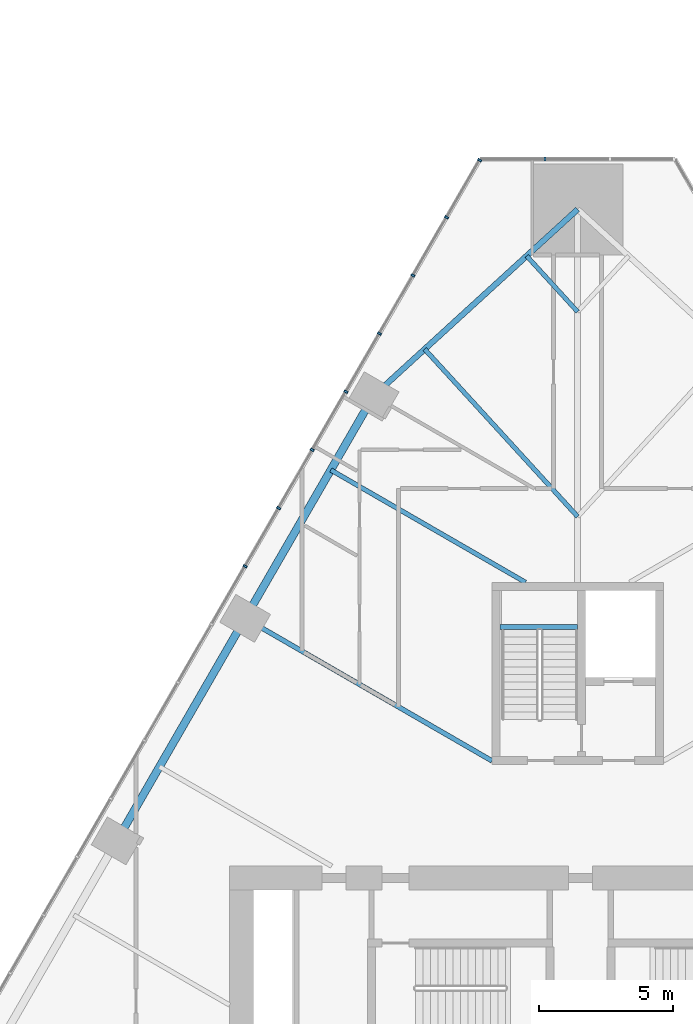
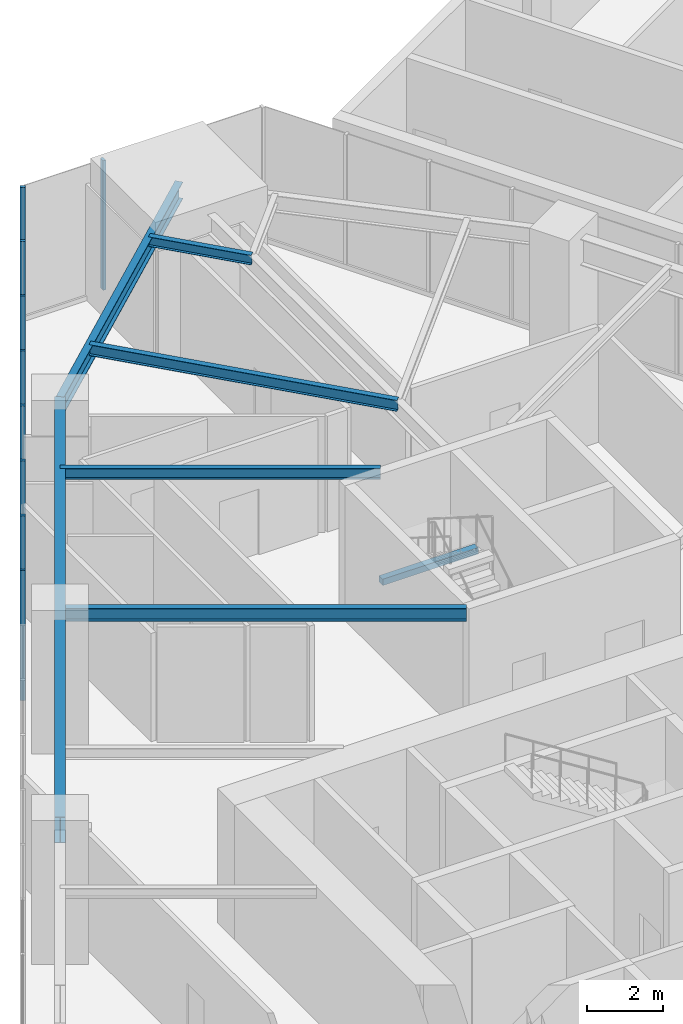
# One storey, part 10 of 23: 9 members, 7 beams, 2 elements without a shape of their own.
"""IFC4 building model written with IfcOpenShell, lengths in metres."""

from ifc_helpers import new_model, si_unit, direction, frame, origin, origin_2d, place, context, subcontext, project, spatial, rectangle, i_section, extrude, material, layer, layer_set, material_profile, profile_set, type_object, element, aggregate, save


model = new_model("IFC4")

# Units and contexts
model_context = context("Model", 3, precision=1e-05, world=origin(), true_north=direction((0.0, 1.0)))
body_context = subcontext(model_context, "Body", "Model", "MODEL_VIEW")
ifc_project = project(units=[si_unit("LENGTHUNIT", "METRE"), si_unit("AREAUNIT", "SQUARE_METRE"), si_unit("VOLUMEUNIT", "CUBIC_METRE"), si_unit("PLANEANGLEUNIT", "RADIAN"), si_unit("MASSUNIT", "GRAM", prefix="KILO")], contexts=[model_context])

# Site, building, storey
site_placement = place(None, origin())
site = spatial("IfcSite", under=ifc_project, at=site_placement, CompositionType="ELEMENT")
building_placement = place(site_placement, origin())
building = spatial("IfcBuilding", under=site, at=building_placement, Name="Firuza Gate Tower and Library", CompositionType="ELEMENT")
storey_placement = place(building_placement, frame((0.0, 0.0, 21.800048828125)))
storey = spatial("IfcBuildingStorey", under=building, at=storey_placement, Name="L04", CompositionType="ELEMENT", Elevation=21.800048828125)

# Curtain wall, member
ifc_material_1 = material(Name="Aluminium 6063-T6", Category="aluminium")
ifc_layer = layer(ifc_material_1, 0.14990234375)
ifc_layer_set = layer_set([ifc_layer], Name="Stick curtain wall, podium")
curtain_wall_type = type_object("IfcCurtainWallType", Name="Stick curtain wall, podium", PredefinedType="NOTDEFINED", material=ifc_layer_set)
placement = place(storey_placement, origin())
curtain_wall_1 = element("IfcCurtainWall", 1, at=placement, inside=storey, type_object=curtain_wall_type, Name="CW5 L04 N", PredefinedType="NOTDEFINED")
ifc_material_2 = material(Name="Aluminium 6063-T6", Category="aluminium")
ifc_material_profile_1 = material_profile(ifc_material_2, rectangle(XDim=0.14990234375, YDim=0.080078125, at=origin_2d()))
ifc_profile_set_1 = profile_set([ifc_material_profile_1], Name="Aluminium 6063-T6")
member_type = type_object("IfcMemberType", Name="Curtain wall mullion 80x150", PredefinedType="MULLION", material=ifc_profile_set_1)
member_1_placement = place(storey_placement, frame((73.78564453125, 110.408935546875, 0.14990234375), z_axis=(0.0, 0.0, 1.0), x_axis=(0.0, -1.0, 0.0)))
member_1 = element("IfcMember", 2, at=member_1_placement, type_object=member_type, Name="Mullion", PredefinedType="MULLION", context=body_context, shape_type="SweptSolid", body=[
    extrude(rectangle(XDim=0.14990234375, YDim=0.080078125, at=origin_2d()), origin(), (0.0, 0.0, 1.0), 4.150146484375),
])
aggregate(curtain_wall_1, [member_1])

# Curtain wall, members
curtain_wall_2 = element("IfcCurtainWall", 3, at=placement, inside=storey, type_object=curtain_wall_type, Name="CW5 L04 W", PredefinedType="NOTDEFINED")
member_2_placement = place(storey_placement, frame((71.336669921875, 110.374267578125, 0.14990234375), z_axis=(0.0, 0.0, 1.0), x_axis=(0.866025403784, -0.5, 0.0)))
member_2 = element("IfcMember", 4, at=member_2_placement, type_object=member_type, Name="Mullion", PredefinedType="MULLION", context=body_context, shape_type="SweptSolid", body=[
    extrude(rectangle(XDim=0.14990234375, YDim=0.080078125, at=origin_2d()), origin(), (0.0, 0.0, 1.0), 4.150146484375),
])
member_3_placement = place(storey_placement, frame((70.1025390625, 108.23681640625, 0.14990234375), z_axis=(0.0, 0.0, 1.0), x_axis=(0.866025403784, -0.5, 0.0)))
member_3 = element("IfcMember", 5, at=member_3_placement, type_object=member_type, Name="Mullion", PredefinedType="MULLION", context=body_context, shape_type="SweptSolid", body=[
    extrude(rectangle(XDim=0.14990234375, YDim=0.080078125, at=origin_2d()), origin(), (0.0, 0.0, 1.0), 4.150146484375),
])
member_4_placement = place(storey_placement, frame((68.8486328125, 106.064697265625, 0.14990234375), z_axis=(0.0, 0.0, 1.0), x_axis=(0.866025403784, -0.5, 0.0)))
member_4 = element("IfcMember", 6, at=member_4_placement, type_object=member_type, Name="Mullion", PredefinedType="MULLION", context=body_context, shape_type="SweptSolid", body=[
    extrude(rectangle(XDim=0.14990234375, YDim=0.080078125, at=origin_2d()), origin(), (0.0, 0.0, 1.0), 4.150146484375),
])
member_5_placement = place(storey_placement, frame((67.594482421875, 103.892578125, 0.14990234375), z_axis=(0.0, 0.0, 1.0), x_axis=(0.866025403784, -0.5, 0.0)))
member_5 = element("IfcMember", 7, at=member_5_placement, type_object=member_type, Name="Mullion", PredefinedType="MULLION", context=body_context, shape_type="SweptSolid", body=[
    extrude(rectangle(XDim=0.14990234375, YDim=0.080078125, at=origin_2d()), origin(), (0.0, 0.0, 1.0), 4.150146484375),
])
member_6_placement = place(storey_placement, frame((66.340576171875, 101.720458984375, 0.14990234375), z_axis=(0.0, 0.0, 1.0), x_axis=(0.866025403784, -0.5, 0.0)))
member_6 = element("IfcMember", 8, at=member_6_placement, type_object=member_type, Name="Mullion", PredefinedType="MULLION", context=body_context, shape_type="SweptSolid", body=[
    extrude(rectangle(XDim=0.14990234375, YDim=0.080078125, at=origin_2d()), origin(), (0.0, 0.0, 1.0), 4.150146484375),
])
member_7_placement = place(storey_placement, frame((65.08642578125, 99.54833984375, 0.14990234375), z_axis=(0.0, 0.0, 1.0), x_axis=(0.866025403784, -0.5, 0.0)))
member_7 = element("IfcMember", 9, at=member_7_placement, type_object=member_type, Name="Mullion", PredefinedType="MULLION", context=body_context, shape_type="SweptSolid", body=[
    extrude(rectangle(XDim=0.14990234375, YDim=0.080078125, at=origin_2d()), origin(), (0.0, 0.0, 1.0), 4.150146484375),
])
member_8_placement = place(storey_placement, frame((63.832275390625, 97.376220703125, 0.14990234375), z_axis=(0.0, 0.0, 1.0), x_axis=(0.866025403784, -0.5, 0.0)))
member_8 = element("IfcMember", 10, at=member_8_placement, type_object=member_type, Name="Mullion", PredefinedType="MULLION", context=body_context, shape_type="SweptSolid", body=[
    extrude(rectangle(XDim=0.14990234375, YDim=0.080078125, at=origin_2d()), origin(), (0.0, 0.0, 1.0), 4.150146484375),
])
member_9_placement = place(storey_placement, frame((62.578369140625, 95.2041015625, 0.14990234375), z_axis=(0.0, 0.0, 1.0), x_axis=(0.866025403784, -0.5, 0.0)))
member_9 = element("IfcMember", 11, at=member_9_placement, type_object=member_type, Name="Mullion", PredefinedType="MULLION", context=body_context, shape_type="SweptSolid", body=[
    extrude(rectangle(XDim=0.14990234375, YDim=0.080078125, at=origin_2d()), origin(), (0.0, 0.0, 1.0), 4.150146484375),
])
aggregate(curtain_wall_2, [member_2, member_3, member_4, member_5, member_6, member_7, member_8, member_9])

# Beams
ifc_material_3 = material(Name="Concrete C35/45", Category="concrete")
ifc_material_profile_2 = material_profile(ifc_material_3, rectangle(XDim=0.199951171875, YDim=0.199951171875, at=origin_2d()))
ifc_profile_set_2 = profile_set([ifc_material_profile_2], Name="Concrete C35/45")
beam_type_1 = type_object("IfcBeamType", Name="Stair landing bearer 200x200", PredefinedType="BEAM", material=ifc_profile_set_2)
beam_1_placement = place(storey_placement, frame((75.0, 92.929931640625, 2.0), z_axis=(-1.0, 0.0, 0.0), x_axis=(0.0, -1.0, 0.0)))
element("IfcBeam", 12, at=beam_1_placement, inside=storey, type_object=beam_type_1, Name="Landing bearer L04 stair 3", PredefinedType="BEAM", context=body_context, shape_type="SweptSolid", body=[
    extrude(rectangle(XDim=0.199951171875, YDim=0.199951171875, at=origin_2d()), origin(), (0.0, 0.0, 1.0), 2.89990234375),
])
ifc_material_4 = material(Name="Steel S355", Category="steel")
ifc_material_profile_3 = material_profile(ifc_material_4, i_section(OverallWidth=0.1650390625, OverallDepth=0.31005859375, WebThickness=0.005859375, FlangeThickness=0.009765625, at=origin_2d()))
ifc_profile_set_3 = profile_set([ifc_material_profile_3], Name="Steel S355")
beam_type_2 = type_object("IfcBeamType", Name="W310x39 Floor beam", PredefinedType="JOIST", material=ifc_profile_set_3)
beam_2_placement = place(storey_placement, frame((73.094970703125, 106.79296875, 4.14501953125), z_axis=(0.674533736892, -0.738244023203, 0.0), x_axis=(0.738244023203, 0.674533736892, 0.0)))
element("IfcBeam", 13, at=beam_2_placement, inside=storey, type_object=beam_type_2, Name="Floor beam L04 s90", PredefinedType="JOIST", context=body_context, shape_type="SweptSolid", body=[
    extrude(i_section(OverallWidth=0.1650390625, OverallDepth=0.31005859375, WebThickness=0.005859375, FlangeThickness=0.009765625, at=origin_2d()), origin(), (0.0, 0.0, 1.0), 2.82421875),
])
ifc_material_5 = material(Name="Steel S355", Category="steel")
ifc_material_profile_4 = material_profile(ifc_material_5, i_section(OverallWidth=0.1708984375, OverallDepth=0.35498046875, WebThickness=0.007080078125, FlangeThickness=0.01171875, at=origin_2d()))
ifc_profile_set_4 = profile_set([ifc_material_profile_4], Name="Steel S355")
beam_type_3 = type_object("IfcBeamType", Name="W360x51 Floor beam", PredefinedType="JOIST", material=ifc_profile_set_4)
beam_3_placement = place(storey_placement, frame((69.28466796875, 103.31103515625, 4.12255859375), z_axis=(0.674578139258, -0.7382034503, 0.0), x_axis=(0.7382034503, 0.674578139258, 0.0)))
element("IfcBeam", 14, at=beam_3_placement, inside=storey, type_object=beam_type_3, Name="Floor beam L04 s91", PredefinedType="JOIST", context=body_context, shape_type="SweptSolid", body=[
    extrude(i_section(OverallWidth=0.1708984375, OverallDepth=0.35498046875, WebThickness=0.007080078125, FlangeThickness=0.01171875, at=origin_2d()), origin(), (0.0, 0.0, 1.0), 8.472412109375),
])
beam_4_placement = place(storey_placement, frame((65.779541015625, 98.798828125, 4.12255859375), z_axis=(0.866019517829, -0.500010194636, 0.0), x_axis=(0.500010194636, 0.866019517829, 0.0)))
element("IfcBeam", 15, at=beam_4_placement, inside=storey, type_object=beam_type_3, Name="Floor beam L04 s100", PredefinedType="JOIST", context=body_context, shape_type="SweptSolid", body=[
    extrude(i_section(OverallWidth=0.1708984375, OverallDepth=0.35498046875, WebThickness=0.007080078125, FlangeThickness=0.01171875, at=origin_2d()), origin(), (0.0, 0.0, 1.0), 8.397216796875),
])
ifc_material_6 = material(Name="Steel S355", Category="steel")
ifc_material_profile_5 = material_profile(ifc_material_6, i_section(OverallWidth=0.177978515625, OverallDepth=0.406982421875, WebThickness=0.0078125, FlangeThickness=0.0126953125, at=origin_2d()))
ifc_profile_set_5 = profile_set([ifc_material_profile_5], Name="Steel S355")
beam_type_4 = type_object("IfcBeamType", Name="W410x60 Floor beam", PredefinedType="JOIST", material=ifc_profile_set_5)
beam_5_placement = place(storey_placement, frame((62.579345703125, 93.256103515625, 4.096435546875), z_axis=(0.866029027547, -0.499993723407, 0.0), x_axis=(0.499993723407, 0.866029027547, 0.0)))
element("IfcBeam", 16, at=beam_5_placement, inside=storey, type_object=beam_type_4, Name="Floor beam L04 s101", PredefinedType="JOIST", context=body_context, shape_type="SweptSolid", body=[
    extrude(i_section(OverallWidth=0.177978515625, OverallDepth=0.406982421875, WebThickness=0.0078125, FlangeThickness=0.0126953125, at=origin_2d()), origin(), (0.0, 0.0, 1.0), 10.647216796875),
])
ifc_material_7 = material(Name="Steel S355", Category="steel")
ifc_material_profile_6 = material_profile(ifc_material_7, i_section(OverallWidth=0.212890625, OverallDepth=0.5390625, WebThickness=0.01171875, FlangeThickness=0.018798828125, at=origin_2d()))
ifc_profile_set_6 = profile_set([ifc_material_profile_6], Name="Steel S355")
beam_type_5 = type_object("IfcBeamType", Name="W530x109 Edge beam", PredefinedType="SPANDREL", material=ifc_profile_set_6)
beam_6_placement = place(storey_placement, frame((75.0, 108.533935546875, 4.030517578125), z_axis=(-0.738199730284, -0.674582210118, 0.0), x_axis=(0.674582210118, -0.738199730284, 0.0)))
element("IfcBeam", 17, at=beam_6_placement, inside=storey, type_object=beam_type_5, Name="Edge beam L04 e90", PredefinedType="SPANDREL", context=body_context, shape_type="SweptSolid", body=[
    extrude(i_section(OverallWidth=0.212890625, OverallDepth=0.5390625, WebThickness=0.01171875, FlangeThickness=0.018798828125, at=origin_2d()), origin(), (0.0, 0.0, 1.0), 10.3232421875),
])
ifc_material_8 = material(Name="Steel S355", Category="steel")
ifc_material_profile_7 = material_profile(ifc_material_8, i_section(OverallWidth=0.2919921875, OverallDepth=0.8349609375, WebThickness=0.013916015625, FlangeThickness=0.018798828125, at=origin_2d()))
ifc_profile_set_7 = profile_set([ifc_material_profile_7], Name="Steel S355")
beam_type_6 = type_object("IfcBeamType", Name="W840x176 Edge beam", PredefinedType="SPANDREL", material=ifc_profile_set_7)
beam_7_placement = place(storey_placement, frame((67.37939453125, 101.570068359375, 3.882568359375), z_axis=(-0.499994327668, -0.866028678682, 0.0), x_axis=(0.866028678682, -0.499994327668, 0.0)))
element("IfcBeam", 18, at=beam_7_placement, inside=storey, type_object=beam_type_6, Name="Edge beam L04 e100", PredefinedType="SPANDREL", context=body_context, shape_type="SweptSolid", body=[
    extrude(i_section(OverallWidth=0.2919921875, OverallDepth=0.8349609375, WebThickness=0.013916015625, FlangeThickness=0.018798828125, at=origin_2d()), origin(), (0.0, 0.0, 1.0), 19.199951171875),
])

save(model, "model.ifc")
